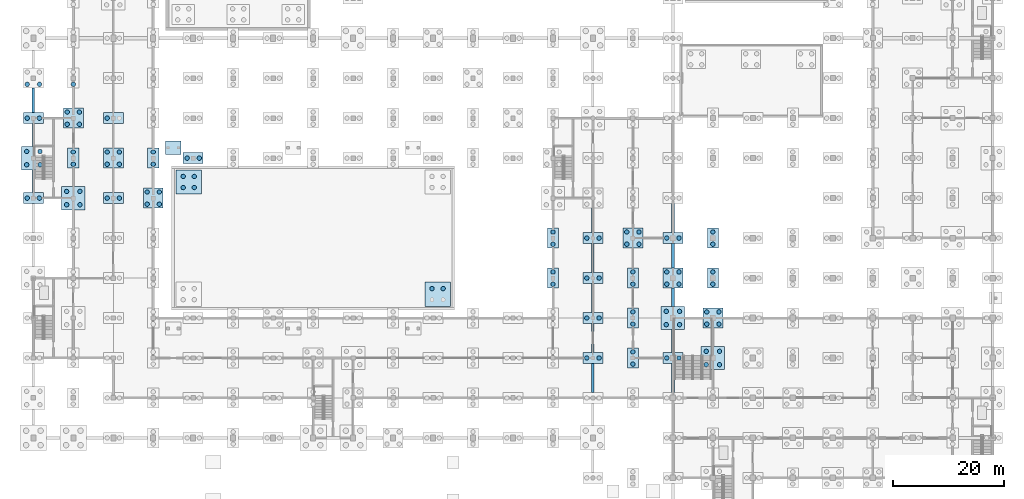
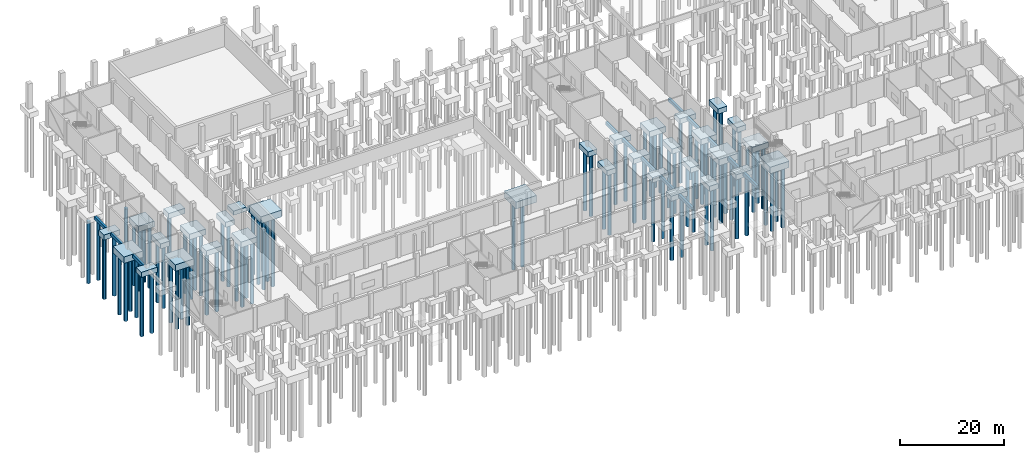
# One storey, part 3 of 35: 88 piles, 46 footings.
"""IFC4 building model written with IfcOpenShell, lengths in metres."""

from ifc_helpers import new_model, si_unit, direction, frame, origin, origin_2d, place, context, subcontext, project, spatial, polyline, rectangle, circle, outline, extrude, material, material_profile, profile_set, type_object, element, save


model = new_model("IFC4")

# Units and contexts
model_context = context("Model", 3, precision=1e-05, world=origin(), true_north=direction((0.0, 1.0)))
body_context = subcontext(model_context, "Body", "Model", "MODEL_VIEW")
ifc_project = project(units=[si_unit("LENGTHUNIT", "METRE"), si_unit("AREAUNIT", "SQUARE_METRE"), si_unit("VOLUMEUNIT", "CUBIC_METRE"), si_unit("PLANEANGLEUNIT", "RADIAN"), si_unit("MASSUNIT", "GRAM", prefix="KILO")], contexts=[model_context])

# Site, building, storey
site_placement = place(None, origin())
site = spatial("IfcSite", under=ifc_project, at=site_placement, CompositionType="ELEMENT")
building_placement = place(site_placement, origin())
building = spatial("IfcBuilding", under=site, at=building_placement, Name="Vesperath Aquatics Centre", CompositionType="ELEMENT")
storey_placement = place(building_placement, frame((0.0, 0.0, -5.39990234375)))
storey = spatial("IfcBuildingStorey", under=building, at=storey_placement, Name="B1", CompositionType="ELEMENT", Elevation=-5.39990234375)

# Footings
ifc_material_1 = material(Name="Concrete C40", Category="concrete")
footing_type_1 = type_object("IfcFootingType", Name="FT-GB01", PredefinedType="FOOTING_BEAM", material=ifc_material_1)
footing_1_placement = place(storey_placement, frame((0.0, 0.0, -1.150146484375)))
element("IfcFooting", 1, at=footing_1_placement, inside=storey, type_object=footing_type_1, Name="Foundation Ground Beam GB01 15 D-E", PredefinedType="FOOTING_BEAM", context=body_context, shape_type="SweptSolid", body=[
    extrude(outline(polyline([(100.574951171875, 22.60009765625), (101.02490234375, 22.60009765625), (101.02490234375, 27.800048828125), (100.574951171875, 27.800048828125), (100.574951171875, 22.60009765625)])), origin(), (0.0, 0.0, 1.0), 0.699951171875),
])
footing_2_placement = place(storey_placement, frame((0.0, 0.0, -1.150146484375)))
element("IfcFooting", 2, at=footing_2_placement, inside=storey, type_object=footing_type_1, Name="Foundation Ground Beam GB01 15 E-F", PredefinedType="FOOTING_BEAM", context=body_context, shape_type="SweptSolid", body=[
    extrude(outline(polyline([(100.574951171875, 29.800048828125), (101.02490234375, 29.800048828125), (101.02490234375, 35.0), (100.574951171875, 35.0), (100.574951171875, 29.800048828125)])), origin(), (0.0, 0.0, 1.0), 0.699951171875),
])
footing_3_placement = place(storey_placement, frame((0.0, 0.0, -1.150146484375)))
element("IfcFooting", 3, at=footing_3_placement, inside=storey, type_object=footing_type_1, Name="Foundation Ground Beam GB01 15 F-G", PredefinedType="FOOTING_BEAM", context=body_context, shape_type="SweptSolid", body=[
    extrude(outline(polyline([(100.574951171875, 37.0), (101.02490234375, 37.0), (101.02490234375, 42.199951171875), (100.574951171875, 42.199951171875), (100.574951171875, 37.0)])), origin(), (0.0, 0.0, 1.0), 0.699951171875),
])
footing_4_placement = place(storey_placement, frame((0.0, 0.0, -1.150146484375)))
element("IfcFooting", 4, at=footing_4_placement, inside=storey, type_object=footing_type_1, Name="Foundation Ground Beam GB01 15 G-H", PredefinedType="FOOTING_BEAM", context=body_context, shape_type="SweptSolid", body=[
    extrude(outline(polyline([(100.574951171875, 44.199951171875), (101.02490234375, 44.199951171875), (101.02490234375, 49.39990234375), (100.574951171875, 49.39990234375), (100.574951171875, 44.199951171875)])), origin(), (0.0, 0.0, 1.0), 0.699951171875),
])
footing_5_placement = place(storey_placement, frame((0.0, 0.0, -1.150146484375)))
element("IfcFooting", 5, at=footing_5_placement, inside=storey, type_object=footing_type_1, Name="Foundation Ground Beam GB01 15 H-J", PredefinedType="FOOTING_BEAM", context=body_context, shape_type="SweptSolid", body=[
    extrude(outline(polyline([(100.574951171875, 51.39990234375), (101.02490234375, 51.39990234375), (101.02490234375, 55.800048828125), (100.574951171875, 55.800048828125), (100.574951171875, 51.39990234375)])), origin(), (0.0, 0.0, 1.0), 0.699951171875),
])
footing_type_2 = type_object("IfcFootingType", Name="FT-GB02", PredefinedType="FOOTING_BEAM", material=ifc_material_1)
footing_6_placement = place(storey_placement, frame((0.0, 0.0, -1.2001953125)))
element("IfcFooting", 6, at=footing_6_placement, inside=storey, type_object=footing_type_2, Name="Foundation Ground Beam GB02 1 J-K", PredefinedType="FOOTING_BEAM", context=body_context, shape_type="SweptSolid", body=[
    extrude(outline(polyline([(-0.25, 58.60009765625), (0.25, 58.60009765625), (0.25, 62.699951171875), (-0.25, 62.699951171875), (-0.25, 58.60009765625)])), origin(), (0.0, 0.0, 1.0), 0.75),
])
footing_7_placement = place(storey_placement, frame((0.0, 0.0, -1.2001953125)))
element("IfcFooting", 7, at=footing_7_placement, inside=storey, type_object=footing_type_2, Name="Foundation Ground Beam GB02 1 K-L", PredefinedType="FOOTING_BEAM", context=body_context, shape_type="SweptSolid", body=[
    extrude(outline(polyline([(-0.25, 66.89990234375), (0.25, 66.89990234375), (0.25, 71.0), (-0.25, 71.0), (-0.25, 66.89990234375)])), origin(), (0.0, 0.0, 1.0), 0.75),
])
footing_8_placement = place(storey_placement, frame((0.0, 0.0, -1.2001953125)))
element("IfcFooting", 8, at=footing_8_placement, inside=storey, type_object=footing_type_2, Name="Foundation Ground Beam GB02 1 L-M", PredefinedType="FOOTING_BEAM", context=body_context, shape_type="SweptSolid", body=[
    extrude(outline(polyline([(-0.25, 73.0), (0.25, 73.0), (0.25, 77.39990234375), (-0.25, 77.39990234375), (-0.25, 73.0)])), origin(), (0.0, 0.0, 1.0), 0.75),
])
footing_9_placement = place(storey_placement, frame((0.0, 0.0, -1.2001953125)))
element("IfcFooting", 9, at=footing_9_placement, inside=storey, type_object=footing_type_2, Name="Foundation Ground Beam GB02 17 D-E", PredefinedType="FOOTING_BEAM", context=body_context, shape_type="SweptSolid", body=[
    extrude(outline(polyline([(114.949951171875, 22.60009765625), (115.449951171875, 22.60009765625), (115.449951171875, 27.800048828125), (114.949951171875, 27.800048828125), (114.949951171875, 22.60009765625)])), origin(), (0.0, 0.0, 1.0), 0.75),
])
footing_10_placement = place(storey_placement, frame((0.0, 0.0, -1.2001953125)))
element("IfcFooting", 10, at=footing_10_placement, inside=storey, type_object=footing_type_2, Name="Foundation Ground Beam GB02 17 E-F", PredefinedType="FOOTING_BEAM", context=body_context, shape_type="SweptSolid", body=[
    extrude(outline(polyline([(114.949951171875, 29.800048828125), (115.449951171875, 29.800048828125), (115.449951171875, 33.89990234375), (114.949951171875, 33.89990234375), (114.949951171875, 29.800048828125)])), origin(), (0.0, 0.0, 1.0), 0.75),
])
footing_11_placement = place(storey_placement, frame((0.0, 0.0, -1.2001953125)))
element("IfcFooting", 11, at=footing_11_placement, inside=storey, type_object=footing_type_2, Name="Foundation Ground Beam GB02 17 F-G", PredefinedType="FOOTING_BEAM", context=body_context, shape_type="SweptSolid", body=[
    extrude(outline(polyline([(114.949951171875, 38.10009765625), (115.449951171875, 38.10009765625), (115.449951171875, 41.39990234375), (114.949951171875, 41.39990234375), (114.949951171875, 38.10009765625)])), origin(), (0.0, 0.0, 1.0), 0.75),
])
footing_12_placement = place(storey_placement, frame((0.0, 0.0, -1.2001953125)))
element("IfcFooting", 12, at=footing_12_placement, inside=storey, type_object=footing_type_2, Name="Foundation Ground Beam GB02 17 G-H", PredefinedType="FOOTING_BEAM", context=body_context, shape_type="SweptSolid", body=[
    extrude(outline(polyline([(114.949951171875, 45.0), (115.449951171875, 45.0), (115.449951171875, 49.39990234375), (114.949951171875, 49.39990234375), (114.949951171875, 45.0)])), origin(), (0.0, 0.0, 1.0), 0.75),
])
footing_13_placement = place(storey_placement, frame((0.0, 0.0, -1.2001953125)))
element("IfcFooting", 13, at=footing_13_placement, inside=storey, type_object=footing_type_2, Name="Foundation Ground Beam GB02 17 H-J", PredefinedType="FOOTING_BEAM", context=body_context, shape_type="SweptSolid", body=[
    extrude(outline(polyline([(114.949951171875, 51.39990234375), (115.449951171875, 51.39990234375), (115.449951171875, 56.60009765625), (114.949951171875, 56.60009765625), (114.949951171875, 51.39990234375)])), origin(), (0.0, 0.0, 1.0), 0.75),
])
footing_type_3 = type_object("IfcFootingType", Name="FT-PC01", PredefinedType="PILE_CAP", material=ifc_material_1)
for number, where, z_axis, x_axis, name in (
    (14, (0.0, 57.60009765625, -1.64990234375), (0.0, 0.0, 1.0), (1.0, 0.0, 0.0), "Pile Cap PC01 at 1/J"),
    (15, (0.0, 72.0, -1.64990234375), (0.0, 0.0, 1.0), (1.0, 0.0, 0.0), "Pile Cap PC01 at 1/L"),
    (16, (14.39990234375, 57.60009765625, -1.64990234375), (0.0, 0.0, 1.0), (1.0, 0.0, 0.0), "Pile Cap PC01 at 3/J"),
    (17, (14.39990234375, 72.0, -1.64990234375), (0.0, 0.0, 1.0), (1.0, 0.0, 0.0), "Pile Cap PC01 at 3/L"),
    (18, (28.800048828125, 64.800048828125, -1.64990234375), (0.0, 0.0, 1.0), (1.0, 0.0, 0.0), "Pile Cap PC01 at 5/K"),
    (19, (100.800048828125, 28.800048828125, -1.64990234375), (0.0, 0.0, 1.0), (1.0, 0.0, 0.0), "Pile Cap PC01 at 15/E"),
    (20, (100.800048828125, 36.0, -1.64990234375), (0.0, 0.0, 1.0), (1.0, 0.0, 0.0), "Pile Cap PC01 at 15/F"),
    (21, (100.800048828125, 43.199951171875, -1.64990234375), (0.0, 0.0, 1.0), (1.0, 0.0, 0.0), "Pile Cap PC01 at 15/G"),
    (22, (100.800048828125, 50.39990234375, -1.64990234375), (0.0, 0.0, 1.0), (1.0, 0.0, 0.0), "Pile Cap PC01 at 15/H"),
    (23, (115.199951171875, 28.800048828125, -1.64990234375), (0.0, 0.0, 1.0), (1.0, 0.0, 0.0), "Pile Cap PC01 at 17/E"),
    (24, (115.199951171875, 50.39990234375, -1.64990234375), (0.0, 0.0, 1.0), (1.0, 0.0, 0.0), "Pile Cap PC01 at 17/H"),
):
    element("IfcFooting", number, at=place(storey_placement, frame(where, z_axis=z_axis, x_axis=x_axis)), inside=storey, type_object=footing_type_3, Name=name, PredefinedType="PILE_CAP", context=body_context, shape_type="SweptSolid", body=[
        extrude(rectangle(XDim=3.60009765625, YDim=2.0, at=origin_2d()), origin(), (0.0, 0.0, 1.0), 1.199951171875),
    ])
footing_type_4 = type_object("IfcFootingType", Name="FT-PC02", PredefinedType="PILE_CAP", material=ifc_material_1)
for number, where, z_axis, x_axis, name in (
    (25, (7.199951171875, 64.800048828125, -1.64990234375), (0.0, 0.0, 1.0), (1.0, 0.0, 0.0), "Pile Cap PC02 at 2/K"),
    (26, (21.60009765625, 64.800048828125, -1.64990234375), (0.0, 0.0, 1.0), (1.0, 0.0, 0.0), "Pile Cap PC02 at 4/K"),
    (27, (93.60009765625, 43.199951171875, -1.64990234375), (0.0, 0.0, 1.0), (1.0, 0.0, 0.0), "Pile Cap PC02 at 14/G"),
    (28, (93.60009765625, 50.39990234375, -1.64990234375), (0.0, 0.0, 1.0), (1.0, 0.0, 0.0), "Pile Cap PC02 at 14/H"),
    (29, (108.0, 28.800048828125, -1.64990234375), (0.0, 0.0, 1.0), (1.0, 0.0, 0.0), "Pile Cap PC02 at 16/E"),
    (30, (108.0, 36.0, -1.64990234375), (0.0, 0.0, 1.0), (1.0, 0.0, 0.0), "Pile Cap PC02 at 16/F"),
    (31, (108.0, 43.199951171875, -1.64990234375), (0.0, 0.0, 1.0), (1.0, 0.0, 0.0), "Pile Cap PC02 at 16/G"),
    (32, (122.39990234375, 43.199951171875, -1.64990234375), (0.0, 0.0, 1.0), (1.0, 0.0, 0.0), "Pile Cap PC02 at 18/G"),
    (33, (122.39990234375, 50.39990234375, -1.64990234375), (0.0, 0.0, 1.0), (1.0, 0.0, 0.0), "Pile Cap PC02 at 18/H"),
):
    element("IfcFooting", number, at=place(storey_placement, frame(where, z_axis=z_axis, x_axis=x_axis)), inside=storey, type_object=footing_type_4, Name=name, PredefinedType="PILE_CAP", context=body_context, shape_type="SweptSolid", body=[
        extrude(rectangle(XDim=2.0, YDim=3.60009765625, at=origin_2d()), origin(), (0.0, 0.0, 1.0), 1.199951171875),
    ])
footing_type_5 = type_object("IfcFootingType", Name="FT-PC03", PredefinedType="PILE_CAP", material=ifc_material_1)
for number, where, z_axis, x_axis, name in (
    (34, (7.199951171875, 72.0, -1.75), (0.0, 0.0, 1.0), (1.0, 0.0, 0.0), "Pile Cap PC03 at 2/L"),
    (35, (14.39990234375, 64.800048828125, -1.75), (0.0, 0.0, 1.0), (1.0, 0.0, 0.0), "Pile Cap PC03 at 3/K"),
    (36, (21.60009765625, 57.60009765625, -1.75), (0.0, 0.0, 1.0), (1.0, 0.0, 0.0), "Pile Cap PC03 at 4/J"),
    (37, (108.0, 50.39990234375, -1.75), (0.0, 0.0, 1.0), (1.0, 0.0, 0.0), "Pile Cap PC03 at 16/H"),
    (38, (115.199951171875, 43.199951171875, -1.75), (0.0, 0.0, 1.0), (1.0, 0.0, 0.0), "Pile Cap PC03 at 17/G"),
    (39, (122.39990234375, 36.0, -1.75), (0.0, 0.0, 1.0), (1.0, 0.0, 0.0), "Pile Cap PC03 at 18/F"),
):
    element("IfcFooting", number, at=place(storey_placement, frame(where, z_axis=z_axis, x_axis=x_axis)), inside=storey, type_object=footing_type_5, Name=name, PredefinedType="PILE_CAP", context=body_context, shape_type="SweptSolid", body=[
        extrude(rectangle(XDim=3.60009765625, YDim=3.60009765625, at=origin_2d()), origin(), (0.0, 0.0, 1.0), 1.300048828125),
    ])
footing_type_6 = type_object("IfcFootingType", Name="FT-PC06", PredefinedType="PILE_CAP", material=ifc_material_1)
for number, where, z_axis, x_axis, name in (
    (40, (0.0, 64.800048828125, -1.9501953125), (0.0, 0.0, 1.0), (1.0, 0.0, 0.0), "Pile Cap PC06 at 1/K"),
    (41, (7.199951171875, 57.60009765625, -1.9501953125), (0.0, 0.0, 1.0), (1.0, 0.0, 0.0), "Pile Cap PC06 at 2/J"),
    (42, (115.199951171875, 36.0, -1.9501953125), (0.0, 0.0, 1.0), (1.0, 0.0, 0.0), "Pile Cap PC06 at 17/F"),
    (43, (122.39990234375, 28.800048828125, -1.9501953125), (0.0, 0.0, 1.0), (1.0, 0.0, 0.0), "Pile Cap PC06 at 18/E"),
):
    element("IfcFooting", number, at=place(storey_placement, frame(where, z_axis=z_axis, x_axis=x_axis)), inside=storey, type_object=footing_type_6, Name=name, PredefinedType="PILE_CAP", context=body_context, shape_type="SweptSolid", body=[
        extrude(rectangle(XDim=4.199951171875, YDim=4.199951171875, at=origin_2d()), origin(), (0.0, 0.0, 1.0), 1.5),
    ])
footing_type_7 = type_object("IfcFootingType", Name="FT-PC08", PredefinedType="PILE_CAP", material=ifc_material_1)
for number, where, z_axis, x_axis, name in (
    (44, (27.989990234375, 60.5, 0.2998046875), (0.0, 0.0, 1.0), (1.0, 0.0, 0.0), "Competition Swimming Pool Sub-Basin Pile Cap PC08-2"),
    (45, (72.81005859375, 40.300048828125, 0.2998046875), (0.0, 0.0, 1.0), (1.0, 0.0, 0.0), "Competition Swimming Pool Sub-Basin Pile Cap PC08-3"),
):
    element("IfcFooting", number, at=place(storey_placement, frame(where, z_axis=z_axis, x_axis=x_axis)), inside=storey, type_object=footing_type_7, Name=name, PredefinedType="PILE_CAP", context=body_context, shape_type="SweptSolid", body=[
        extrude(rectangle(XDim=4.60009765625, YDim=4.39990234375, at=origin_2d()), origin(), (0.0, 0.0, 1.0), 1.60009765625),
    ])
footing_type_8 = type_object("IfcFootingType", Name="FT-PF03", PredefinedType="PAD_FOOTING", material=ifc_material_1)
footing_14_placement = place(storey_placement, frame((25.199951171875, 66.679931640625, -1.39990234375), z_axis=(0.0, 0.0, 1.0), x_axis=(1.0, 0.0, 0.0)))
element("IfcFooting", 46, at=footing_14_placement, inside=storey, type_object=footing_type_8, Name="Vomitory VOM-04 Portal Pad Footing PF03", PredefinedType="PAD_FOOTING", context=body_context, shape_type="SweptSolid", body=[
    extrude(rectangle(XDim=2.800048828125, YDim=2.39990234375, at=origin_2d()), origin(), (0.0, 0.0, 1.0), 0.949951171875),
])

# Piles
ifc_material_2 = material(Name="Concrete C35", Category="concrete")
ifc_material_profile = material_profile(ifc_material_2, circle(Radius=0.39990234375, at=origin_2d()), Name="PILE D800")
ifc_profile_set = profile_set([ifc_material_profile], Name="Concrete C35")
pile_type = type_object("IfcPileType", Name="PL-BP01", PredefinedType="BORED", material=ifc_profile_set)
for number, where, z_axis, x_axis, name in (
    (47, (-1.10009765625, 57.60009765625, -1.5), (0.0, 0.0, -1.0), (1.0, 0.0, 0.0), "Bored Pile BP01 CAP_00_08-1"),
    (48, (1.10009765625, 57.60009765625, -1.5), (0.0, 0.0, -1.0), (1.0, 0.0, 0.0), "Bored Pile BP01 CAP_00_08-2"),
):
    element("IfcPile", number, at=place(storey_placement, frame(where, z_axis=z_axis, x_axis=x_axis)), inside=storey, type_object=pile_type, Name=name, PredefinedType="BORED", context=body_context, shape_type="SweptSolid", body=[
        extrude(circle(Radius=0.39990234375, at=origin_2d()), origin(), (0.0, 0.0, 1.0), 14.60009765625),
    ])
for number, where, z_axis, x_axis, name in (
    (49, (-1.199951171875, 63.60009765625, -1.800048828125), (0.0, 0.0, -1.0), (1.0, 0.0, 0.0), "Bored Pile BP01 CAP_00_09-1"),
    (50, (1.199951171875, 63.60009765625, -1.800048828125), (0.0, 0.0, -1.0), (1.0, 0.0, 0.0), "Bored Pile BP01 CAP_00_09-2"),
    (51, (-1.199951171875, 66.0, -1.800048828125), (0.0, 0.0, -1.0), (1.0, 0.0, 0.0), "Bored Pile BP01 CAP_00_09-3"),
    (52, (1.199951171875, 66.0, -1.800048828125), (0.0, 0.0, -1.0), (1.0, 0.0, 0.0), "Bored Pile BP01 CAP_00_09-4"),
):
    element("IfcPile", number, at=place(storey_placement, frame(where, z_axis=z_axis, x_axis=x_axis)), inside=storey, type_object=pile_type, Name=name, PredefinedType="BORED", context=body_context, shape_type="SweptSolid", body=[
        extrude(circle(Radius=0.39990234375, at=origin_2d()), origin(), (0.0, 0.0, 1.0), 14.300048828125),
    ])
for number, where, z_axis, x_axis, name in (
    (53, (-1.10009765625, 72.0, -1.5), (0.0, 0.0, -1.0), (1.0, 0.0, 0.0), "Bored Pile BP01 CAP_00_10-1"),
    (54, (1.10009765625, 72.0, -1.5), (0.0, 0.0, -1.0), (1.0, 0.0, 0.0), "Bored Pile BP01 CAP_00_10-2"),
):
    element("IfcPile", number, at=place(storey_placement, frame(where, z_axis=z_axis, x_axis=x_axis)), inside=storey, type_object=pile_type, Name=name, PredefinedType="BORED", context=body_context, shape_type="SweptSolid", body=[
        extrude(circle(Radius=0.39990234375, at=origin_2d()), origin(), (0.0, 0.0, 1.0), 14.60009765625),
    ])
for number, where, z_axis, x_axis, name in (
    (55, (-1.10009765625, 78.10009765625, -1.60009765625), (0.0, 0.0, -1.0), (1.0, 0.0, 0.0), "Bored Pile BP01 CAP_00_11-1"),
    (56, (1.10009765625, 78.10009765625, -1.60009765625), (0.0, 0.0, -1.0), (1.0, 0.0, 0.0), "Bored Pile BP01 CAP_00_11-2"),
):
    element("IfcPile", number, at=place(storey_placement, frame(where, z_axis=z_axis, x_axis=x_axis)), inside=storey, type_object=pile_type, Name=name, PredefinedType="BORED", context=body_context, shape_type="SweptSolid", body=[
        extrude(circle(Radius=0.39990234375, at=origin_2d()), origin(), (0.0, 0.0, 1.0), 14.5),
    ])
for number, where, z_axis, x_axis, name in (
    (57, (6.0, 56.39990234375, -1.800048828125), (0.0, 0.0, -1.0), (1.0, 0.0, 0.0), "Bored Pile BP01 CAP_01_08-1"),
    (58, (8.39990234375, 56.39990234375, -1.800048828125), (0.0, 0.0, -1.0), (1.0, 0.0, 0.0), "Bored Pile BP01 CAP_01_08-2"),
    (59, (6.0, 58.800048828125, -1.800048828125), (0.0, 0.0, -1.0), (1.0, 0.0, 0.0), "Bored Pile BP01 CAP_01_08-3"),
    (60, (8.39990234375, 58.800048828125, -1.800048828125), (0.0, 0.0, -1.0), (1.0, 0.0, 0.0), "Bored Pile BP01 CAP_01_08-4"),
):
    element("IfcPile", number, at=place(storey_placement, frame(where, z_axis=z_axis, x_axis=x_axis)), inside=storey, type_object=pile_type, Name=name, PredefinedType="BORED", context=body_context, shape_type="SweptSolid", body=[
        extrude(circle(Radius=0.39990234375, at=origin_2d()), origin(), (0.0, 0.0, 1.0), 14.300048828125),
    ])
for number, where, z_axis, x_axis, name in (
    (61, (7.199951171875, 63.699951171875, -1.5), (0.0, 0.0, -1.0), (1.0, 0.0, 0.0), "Bored Pile BP01 CAP_01_09-1"),
    (62, (7.199951171875, 65.89990234375, -1.5), (0.0, 0.0, -1.0), (1.0, 0.0, 0.0), "Bored Pile BP01 CAP_01_09-2"),
):
    element("IfcPile", number, at=place(storey_placement, frame(where, z_axis=z_axis, x_axis=x_axis)), inside=storey, type_object=pile_type, Name=name, PredefinedType="BORED", context=body_context, shape_type="SweptSolid", body=[
        extrude(circle(Radius=0.39990234375, at=origin_2d()), origin(), (0.0, 0.0, 1.0), 14.60009765625),
    ])
for number, where, z_axis, x_axis, name in (
    (63, (6.10009765625, 70.89990234375, -1.60009765625), (0.0, 0.0, -1.0), (1.0, 0.0, 0.0), "Bored Pile BP01 CAP_01_10-1"),
    (64, (8.300048828125, 70.89990234375, -1.60009765625), (0.0, 0.0, -1.0), (1.0, 0.0, 0.0), "Bored Pile BP01 CAP_01_10-2"),
    (65, (6.10009765625, 73.10009765625, -1.60009765625), (0.0, 0.0, -1.0), (1.0, 0.0, 0.0), "Bored Pile BP01 CAP_01_10-3"),
    (66, (8.300048828125, 73.10009765625, -1.60009765625), (0.0, 0.0, -1.0), (1.0, 0.0, 0.0), "Bored Pile BP01 CAP_01_10-4"),
):
    element("IfcPile", number, at=place(storey_placement, frame(where, z_axis=z_axis, x_axis=x_axis)), inside=storey, type_object=pile_type, Name=name, PredefinedType="BORED", context=body_context, shape_type="SweptSolid", body=[
        extrude(circle(Radius=0.39990234375, at=origin_2d()), origin(), (0.0, 0.0, 1.0), 14.5),
    ])
for number, where, z_axis, x_axis, name in (
    (67, (7.199951171875, 78.10009765625, -1.5), (0.0, 0.0, -1.0), (1.0, 0.0, 0.0), "Bored Pile BP01 CAP_01_11-1"),
    (68, (13.300048828125, 57.60009765625, -1.5), (0.0, 0.0, -1.0), (1.0, 0.0, 0.0), "Bored Pile BP01 CAP_02_08-1"),
    (69, (15.5, 57.60009765625, -1.5), (0.0, 0.0, -1.0), (1.0, 0.0, 0.0), "Bored Pile BP01 CAP_02_08-2"),
):
    element("IfcPile", number, at=place(storey_placement, frame(where, z_axis=z_axis, x_axis=x_axis)), inside=storey, type_object=pile_type, Name=name, PredefinedType="BORED", context=body_context, shape_type="SweptSolid", body=[
        extrude(circle(Radius=0.39990234375, at=origin_2d()), origin(), (0.0, 0.0, 1.0), 14.60009765625),
    ])
for number, where, z_axis, x_axis, name in (
    (70, (13.300048828125, 63.699951171875, -1.60009765625), (0.0, 0.0, -1.0), (1.0, 0.0, 0.0), "Bored Pile BP01 CAP_02_09-1"),
    (71, (15.5, 63.699951171875, -1.60009765625), (0.0, 0.0, -1.0), (1.0, 0.0, 0.0), "Bored Pile BP01 CAP_02_09-2"),
    (72, (13.300048828125, 65.89990234375, -1.60009765625), (0.0, 0.0, -1.0), (1.0, 0.0, 0.0), "Bored Pile BP01 CAP_02_09-3"),
    (73, (15.5, 65.89990234375, -1.60009765625), (0.0, 0.0, -1.0), (1.0, 0.0, 0.0), "Bored Pile BP01 CAP_02_09-4"),
):
    element("IfcPile", number, at=place(storey_placement, frame(where, z_axis=z_axis, x_axis=x_axis)), inside=storey, type_object=pile_type, Name=name, PredefinedType="BORED", context=body_context, shape_type="SweptSolid", body=[
        extrude(circle(Radius=0.39990234375, at=origin_2d()), origin(), (0.0, 0.0, 1.0), 14.5),
    ])
pile_placement = place(storey_placement, frame((13.300048828125, 72.0, -1.5), z_axis=(0.0, 0.0, -1.0), x_axis=(1.0, 0.0, 0.0)))
element("IfcPile", 74, at=pile_placement, inside=storey, type_object=pile_type, Name="Bored Pile BP01 CAP_02_10-1", PredefinedType="BORED", context=body_context, shape_type="SweptSolid", body=[
    extrude(circle(Radius=0.39990234375, at=origin_2d()), origin(), (0.0, 0.0, 1.0), 14.60009765625),
])
for number, where, z_axis, x_axis, name in (
    (75, (20.5, 56.5, -1.60009765625), (0.0, 0.0, -1.0), (1.0, 0.0, 0.0), "Bored Pile BP01 CAP_03_08-1"),
    (76, (22.699951171875, 56.5, -1.60009765625), (0.0, 0.0, -1.0), (1.0, 0.0, 0.0), "Bored Pile BP01 CAP_03_08-2"),
    (77, (20.5, 58.699951171875, -1.60009765625), (0.0, 0.0, -1.0), (1.0, 0.0, 0.0), "Bored Pile BP01 CAP_03_08-3"),
    (78, (22.699951171875, 58.699951171875, -1.60009765625), (0.0, 0.0, -1.0), (1.0, 0.0, 0.0), "Bored Pile BP01 CAP_03_08-4"),
):
    element("IfcPile", number, at=place(storey_placement, frame(where, z_axis=z_axis, x_axis=x_axis)), inside=storey, type_object=pile_type, Name=name, PredefinedType="BORED", context=body_context, shape_type="SweptSolid", body=[
        extrude(circle(Radius=0.39990234375, at=origin_2d()), origin(), (0.0, 0.0, 1.0), 14.5),
    ])
for number, where, z_axis, x_axis, name in (
    (79, (21.60009765625, 63.699951171875, -1.5), (0.0, 0.0, -1.0), (1.0, 0.0, 0.0), "Bored Pile BP01 CAP_03_09-1"),
    (80, (21.60009765625, 65.89990234375, -1.5), (0.0, 0.0, -1.0), (1.0, 0.0, 0.0), "Bored Pile BP01 CAP_03_09-2"),
    (81, (27.699951171875, 64.800048828125, -1.5), (0.0, 0.0, -1.0), (1.0, 0.0, 0.0), "Bored Pile BP01 CAP_04_09-1"),
    (82, (29.89990234375, 64.800048828125, -1.5), (0.0, 0.0, -1.0), (1.0, 0.0, 0.0), "Bored Pile BP01 CAP_04_09-2"),
    (83, (93.60009765625, 42.10009765625, -1.5), (0.0, 0.0, -1.0), (1.0, 0.0, 0.0), "Bored Pile BP01 CAP_13_06-1"),
    (84, (93.60009765625, 44.300048828125, -1.5), (0.0, 0.0, -1.0), (1.0, 0.0, 0.0), "Bored Pile BP01 CAP_13_06-2"),
    (85, (93.60009765625, 49.300048828125, -1.5), (0.0, 0.0, -1.0), (1.0, 0.0, 0.0), "Bored Pile BP01 CAP_13_07-1"),
    (86, (93.60009765625, 51.5, -1.5), (0.0, 0.0, -1.0), (1.0, 0.0, 0.0), "Bored Pile BP01 CAP_13_07-2"),
    (87, (99.699951171875, 28.800048828125, -1.5), (0.0, 0.0, -1.0), (1.0, 0.0, 0.0), "Bored Pile BP01 CAP_14_04-1"),
    (88, (101.89990234375, 28.800048828125, -1.5), (0.0, 0.0, -1.0), (1.0, 0.0, 0.0), "Bored Pile BP01 CAP_14_04-2"),
    (89, (99.699951171875, 36.0, -1.5), (0.0, 0.0, -1.0), (1.0, 0.0, 0.0), "Bored Pile BP01 CAP_14_05-1"),
    (90, (101.89990234375, 36.0, -1.5), (0.0, 0.0, -1.0), (1.0, 0.0, 0.0), "Bored Pile BP01 CAP_14_05-2"),
    (91, (99.699951171875, 43.199951171875, -1.5), (0.0, 0.0, -1.0), (1.0, 0.0, 0.0), "Bored Pile BP01 CAP_14_06-1"),
    (92, (101.89990234375, 43.199951171875, -1.5), (0.0, 0.0, -1.0), (1.0, 0.0, 0.0), "Bored Pile BP01 CAP_14_06-2"),
    (93, (99.699951171875, 50.39990234375, -1.5), (0.0, 0.0, -1.0), (1.0, 0.0, 0.0), "Bored Pile BP01 CAP_14_07-1"),
    (94, (101.89990234375, 50.39990234375, -1.5), (0.0, 0.0, -1.0), (1.0, 0.0, 0.0), "Bored Pile BP01 CAP_14_07-2"),
    (95, (108.0, 27.699951171875, -1.5), (0.0, 0.0, -1.0), (1.0, 0.0, 0.0), "Bored Pile BP01 CAP_15_04-1"),
    (96, (108.0, 29.89990234375, -1.5), (0.0, 0.0, -1.0), (1.0, 0.0, 0.0), "Bored Pile BP01 CAP_15_04-2"),
    (97, (108.0, 34.89990234375, -1.5), (0.0, 0.0, -1.0), (1.0, 0.0, 0.0), "Bored Pile BP01 CAP_15_05-1"),
    (98, (108.0, 37.10009765625, -1.5), (0.0, 0.0, -1.0), (1.0, 0.0, 0.0), "Bored Pile BP01 CAP_15_05-2"),
    (99, (108.0, 42.10009765625, -1.5), (0.0, 0.0, -1.0), (1.0, 0.0, 0.0), "Bored Pile BP01 CAP_15_06-1"),
    (100, (108.0, 44.300048828125, -1.5), (0.0, 0.0, -1.0), (1.0, 0.0, 0.0), "Bored Pile BP01 CAP_15_06-2"),
):
    element("IfcPile", number, at=place(storey_placement, frame(where, z_axis=z_axis, x_axis=x_axis)), inside=storey, type_object=pile_type, Name=name, PredefinedType="BORED", context=body_context, shape_type="SweptSolid", body=[
        extrude(circle(Radius=0.39990234375, at=origin_2d()), origin(), (0.0, 0.0, 1.0), 14.60009765625),
    ])
for number, where, z_axis, x_axis, name in (
    (101, (106.89990234375, 49.300048828125, -1.60009765625), (0.0, 0.0, -1.0), (1.0, 0.0, 0.0), "Bored Pile BP01 CAP_15_07-1"),
    (102, (109.10009765625, 49.300048828125, -1.60009765625), (0.0, 0.0, -1.0), (1.0, 0.0, 0.0), "Bored Pile BP01 CAP_15_07-2"),
    (103, (106.89990234375, 51.5, -1.60009765625), (0.0, 0.0, -1.0), (1.0, 0.0, 0.0), "Bored Pile BP01 CAP_15_07-3"),
    (104, (109.10009765625, 51.5, -1.60009765625), (0.0, 0.0, -1.0), (1.0, 0.0, 0.0), "Bored Pile BP01 CAP_15_07-4"),
):
    element("IfcPile", number, at=place(storey_placement, frame(where, z_axis=z_axis, x_axis=x_axis)), inside=storey, type_object=pile_type, Name=name, PredefinedType="BORED", context=body_context, shape_type="SweptSolid", body=[
        extrude(circle(Radius=0.39990234375, at=origin_2d()), origin(), (0.0, 0.0, 1.0), 14.5),
    ])
for number, where, z_axis, x_axis, name in (
    (105, (114.10009765625, 28.800048828125, -1.5), (0.0, 0.0, -1.0), (1.0, 0.0, 0.0), "Bored Pile BP01 CAP_16_04-1"),
    (106, (116.300048828125, 28.800048828125, -1.5), (0.0, 0.0, -1.0), (1.0, 0.0, 0.0), "Bored Pile BP01 CAP_16_04-2"),
):
    element("IfcPile", number, at=place(storey_placement, frame(where, z_axis=z_axis, x_axis=x_axis)), inside=storey, type_object=pile_type, Name=name, PredefinedType="BORED", context=body_context, shape_type="SweptSolid", body=[
        extrude(circle(Radius=0.39990234375, at=origin_2d()), origin(), (0.0, 0.0, 1.0), 14.60009765625),
    ])
for number, where, z_axis, x_axis, name in (
    (107, (114.0, 34.800048828125, -1.800048828125), (0.0, 0.0, -1.0), (1.0, 0.0, 0.0), "Bored Pile BP01 CAP_16_05-1"),
    (108, (116.39990234375, 34.800048828125, -1.800048828125), (0.0, 0.0, -1.0), (1.0, 0.0, 0.0), "Bored Pile BP01 CAP_16_05-2"),
    (109, (114.0, 37.199951171875, -1.800048828125), (0.0, 0.0, -1.0), (1.0, 0.0, 0.0), "Bored Pile BP01 CAP_16_05-3"),
    (110, (116.39990234375, 37.199951171875, -1.800048828125), (0.0, 0.0, -1.0), (1.0, 0.0, 0.0), "Bored Pile BP01 CAP_16_05-4"),
):
    element("IfcPile", number, at=place(storey_placement, frame(where, z_axis=z_axis, x_axis=x_axis)), inside=storey, type_object=pile_type, Name=name, PredefinedType="BORED", context=body_context, shape_type="SweptSolid", body=[
        extrude(circle(Radius=0.39990234375, at=origin_2d()), origin(), (0.0, 0.0, 1.0), 14.300048828125),
    ])
for number, where, z_axis, x_axis, name in (
    (111, (114.10009765625, 42.10009765625, -1.60009765625), (0.0, 0.0, -1.0), (1.0, 0.0, 0.0), "Bored Pile BP01 CAP_16_06-1"),
    (112, (116.300048828125, 42.10009765625, -1.60009765625), (0.0, 0.0, -1.0), (1.0, 0.0, 0.0), "Bored Pile BP01 CAP_16_06-2"),
    (113, (114.10009765625, 44.300048828125, -1.60009765625), (0.0, 0.0, -1.0), (1.0, 0.0, 0.0), "Bored Pile BP01 CAP_16_06-3"),
    (114, (116.300048828125, 44.300048828125, -1.60009765625), (0.0, 0.0, -1.0), (1.0, 0.0, 0.0), "Bored Pile BP01 CAP_16_06-4"),
):
    element("IfcPile", number, at=place(storey_placement, frame(where, z_axis=z_axis, x_axis=x_axis)), inside=storey, type_object=pile_type, Name=name, PredefinedType="BORED", context=body_context, shape_type="SweptSolid", body=[
        extrude(circle(Radius=0.39990234375, at=origin_2d()), origin(), (0.0, 0.0, 1.0), 14.5),
    ])
for number, where, z_axis, x_axis, name in (
    (115, (114.10009765625, 50.39990234375, -1.5), (0.0, 0.0, -1.0), (1.0, 0.0, 0.0), "Bored Pile BP01 CAP_16_07-1"),
    (116, (116.300048828125, 50.39990234375, -1.5), (0.0, 0.0, -1.0), (1.0, 0.0, 0.0), "Bored Pile BP01 CAP_16_07-2"),
):
    element("IfcPile", number, at=place(storey_placement, frame(where, z_axis=z_axis, x_axis=x_axis)), inside=storey, type_object=pile_type, Name=name, PredefinedType="BORED", context=body_context, shape_type="SweptSolid", body=[
        extrude(circle(Radius=0.39990234375, at=origin_2d()), origin(), (0.0, 0.0, 1.0), 14.60009765625),
    ])
for number, where, z_axis, x_axis, name in (
    (117, (121.199951171875, 27.60009765625, -1.800048828125), (0.0, 0.0, -1.0), (1.0, 0.0, 0.0), "Bored Pile BP01 CAP_17_04-1"),
    (118, (123.60009765625, 27.60009765625, -1.800048828125), (0.0, 0.0, -1.0), (1.0, 0.0, 0.0), "Bored Pile BP01 CAP_17_04-2"),
    (119, (121.199951171875, 30.0, -1.800048828125), (0.0, 0.0, -1.0), (1.0, 0.0, 0.0), "Bored Pile BP01 CAP_17_04-3"),
    (120, (123.60009765625, 30.0, -1.800048828125), (0.0, 0.0, -1.0), (1.0, 0.0, 0.0), "Bored Pile BP01 CAP_17_04-4"),
):
    element("IfcPile", number, at=place(storey_placement, frame(where, z_axis=z_axis, x_axis=x_axis)), inside=storey, type_object=pile_type, Name=name, PredefinedType="BORED", context=body_context, shape_type="SweptSolid", body=[
        extrude(circle(Radius=0.39990234375, at=origin_2d()), origin(), (0.0, 0.0, 1.0), 14.300048828125),
    ])
for number, where, z_axis, x_axis, name in (
    (121, (121.300048828125, 34.89990234375, -1.60009765625), (0.0, 0.0, -1.0), (1.0, 0.0, 0.0), "Bored Pile BP01 CAP_17_05-1"),
    (122, (123.5, 34.89990234375, -1.60009765625), (0.0, 0.0, -1.0), (1.0, 0.0, 0.0), "Bored Pile BP01 CAP_17_05-2"),
    (123, (121.300048828125, 37.10009765625, -1.60009765625), (0.0, 0.0, -1.0), (1.0, 0.0, 0.0), "Bored Pile BP01 CAP_17_05-3"),
    (124, (123.5, 37.10009765625, -1.60009765625), (0.0, 0.0, -1.0), (1.0, 0.0, 0.0), "Bored Pile BP01 CAP_17_05-4"),
):
    element("IfcPile", number, at=place(storey_placement, frame(where, z_axis=z_axis, x_axis=x_axis)), inside=storey, type_object=pile_type, Name=name, PredefinedType="BORED", context=body_context, shape_type="SweptSolid", body=[
        extrude(circle(Radius=0.39990234375, at=origin_2d()), origin(), (0.0, 0.0, 1.0), 14.5),
    ])
for number, where, z_axis, x_axis, name in (
    (125, (122.39990234375, 42.10009765625, -1.5), (0.0, 0.0, -1.0), (1.0, 0.0, 0.0), "Bored Pile BP01 CAP_17_06-1"),
    (126, (122.39990234375, 44.300048828125, -1.5), (0.0, 0.0, -1.0), (1.0, 0.0, 0.0), "Bored Pile BP01 CAP_17_06-2"),
    (127, (122.39990234375, 49.300048828125, -1.5), (0.0, 0.0, -1.0), (1.0, 0.0, 0.0), "Bored Pile BP01 CAP_17_07-1"),
    (128, (122.39990234375, 51.5, -1.5), (0.0, 0.0, -1.0), (1.0, 0.0, 0.0), "Bored Pile BP01 CAP_17_07-2"),
):
    element("IfcPile", number, at=place(storey_placement, frame(where, z_axis=z_axis, x_axis=x_axis)), inside=storey, type_object=pile_type, Name=name, PredefinedType="BORED", context=body_context, shape_type="SweptSolid", body=[
        extrude(circle(Radius=0.39990234375, at=origin_2d()), origin(), (0.0, 0.0, 1.0), 14.60009765625),
    ])
for number, where, z_axis, x_axis, name in (
    (129, (26.989990234375, 59.5, 0.449951171875), (0.0, 0.0, -1.0), (1.0, 0.0, 0.0), "Bored Pile BP01 CAP_POOL_COMP_02-1"),
    (130, (28.989990234375, 59.5, 0.449951171875), (0.0, 0.0, -1.0), (1.0, 0.0, 0.0), "Bored Pile BP01 CAP_POOL_COMP_02-2"),
    (131, (26.989990234375, 61.5, 0.449951171875), (0.0, 0.0, -1.0), (1.0, 0.0, 0.0), "Bored Pile BP01 CAP_POOL_COMP_02-3"),
    (132, (28.989990234375, 61.5, 0.449951171875), (0.0, 0.0, -1.0), (1.0, 0.0, 0.0), "Bored Pile BP01 CAP_POOL_COMP_02-4"),
    (133, (71.81005859375, 41.300048828125, 0.449951171875), (0.0, 0.0, -1.0), (1.0, 0.0, 0.0), "Bored Pile BP01 CAP_POOL_COMP_03-3"),
    (134, (73.81005859375, 41.300048828125, 0.449951171875), (0.0, 0.0, -1.0), (1.0, 0.0, 0.0), "Bored Pile BP01 CAP_POOL_COMP_03-4"),
):
    element("IfcPile", number, at=place(storey_placement, frame(where, z_axis=z_axis, x_axis=x_axis)), inside=storey, type_object=pile_type, Name=name, PredefinedType="BORED", context=body_context, shape_type="SweptSolid", body=[
        extrude(circle(Radius=0.39990234375, at=origin_2d()), origin(), (0.0, 0.0, 1.0), 16.550048828125),
    ])

save(model, "model.ifc")
